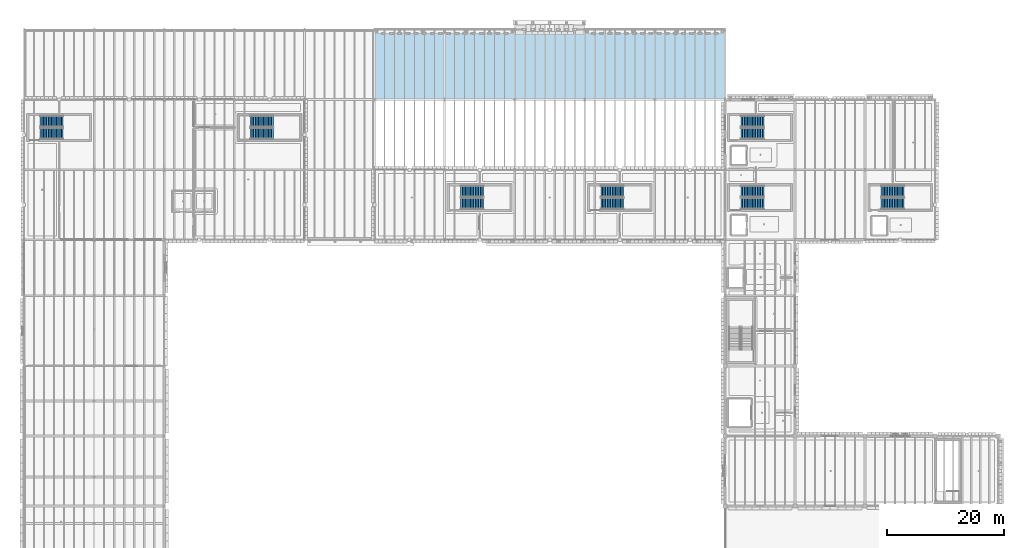
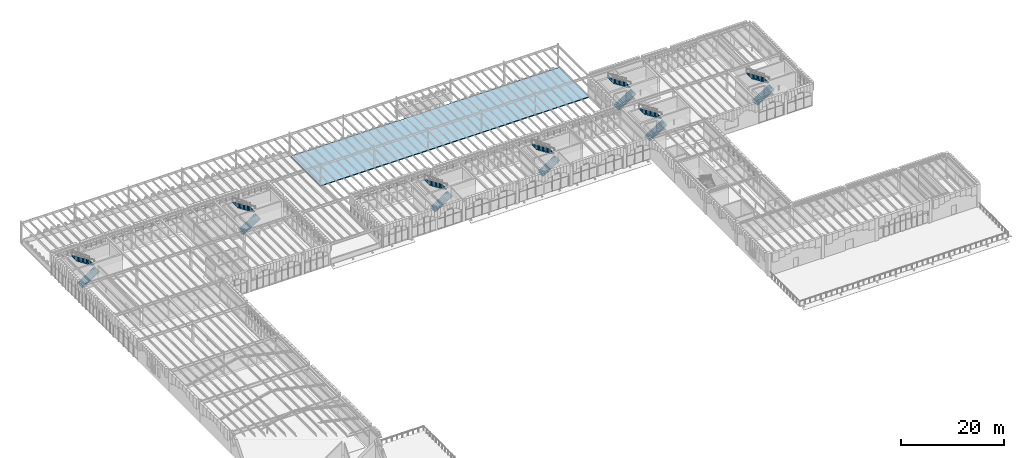
# One storey, part 62 of 100: 14 stair flights, 1 roof, 7 elements without a shape of their own.
"""IFC4 building model written with IfcOpenShell, lengths in metres."""

from ifc_helpers import new_model, si_unit, direction, frame, origin, place, context, subcontext, project, spatial, polyline, outline, extrude, material, layer, layer_set, type_object, element, aggregate, save


model = new_model("IFC4")

# Units and contexts
model_context = context("Model", 3, precision=1e-05, world=origin(), true_north=direction((0.0, 1.0)))
body_context = subcontext(model_context, "Body", "Model", "MODEL_VIEW")
ifc_project = project(units=[si_unit("LENGTHUNIT", "METRE"), si_unit("AREAUNIT", "SQUARE_METRE"), si_unit("VOLUMEUNIT", "CUBIC_METRE"), si_unit("PLANEANGLEUNIT", "RADIAN"), si_unit("MASSUNIT", "GRAM", prefix="KILO")], contexts=[model_context])

# Site, building, storey
site_placement = place(None, origin())
site = spatial("IfcSite", under=ifc_project, at=site_placement, CompositionType="ELEMENT")
building_placement = place(site_placement, origin())
building = spatial("IfcBuilding", under=site, at=building_placement, Name="Zlatogorsky Bluff Art Gallery", CompositionType="ELEMENT")
storey_placement = place(building_placement, frame((0.0, 0.0, 5.39990234375)))
storey = spatial("IfcBuildingStorey", under=building, at=storey_placement, Name="L01", CompositionType="ELEMENT", Elevation=5.39990234375)

# Stair, stair flights
ifc_material_1 = material(Name="Concrete C30/37", Category="concrete")
stair_type = type_object("IfcStairType", Name="Protected Dogleg Stair ST-T3", PredefinedType="HALF_TURN_STAIR", material=ifc_material_1)
stair_1_placement = place(storey_placement, origin())
stair_1 = element("IfcStair", 1, at=stair_1_placement, inside=storey, type_object=stair_type, Name="L01 Protected Exit Stair ST-01", PredefinedType="HALF_TURN_STAIR")
stair_flight_type = type_object("IfcStairFlightType", Name="Stair Flight ST-T3", PredefinedType="STRAIGHT", material=ifc_material_1)
stair_flight_1_placement = place(storey_placement, frame((98.75, 90.175048828125, 0.0), z_axis=(0.0, 0.0, 1.0), x_axis=(1.0, 0.0, 0.0)))
stair_flight_1 = element("IfcStairFlight", 2, at=stair_flight_1_placement, type_object=stair_flight_type, Name="ST-01 flight 1", NumberOfRisers=15, NumberOfTreads=14, PredefinedType="STRAIGHT", RiserHeight=0.18, TreadLength=0.28, context=body_context, shape_type="SweptSolid", body=[
    extrude(outline(polyline([(0.0, 0.0), (0.0, 0.179931640625), (0.280029296875, 0.179931640625), (0.280029296875, 0.360107421875), (0.56005859375, 0.360107421875), (0.56005859375, 0.5400390625), (0.840087890625, 0.5400390625), (0.840087890625, 0.719970703125), (1.1201171875, 0.719970703125), (1.1201171875, 0.89990234375), (1.39990234375, 0.89990234375), (1.39990234375, 1.080078125), (1.679931640625, 1.080078125), (1.679931640625, 1.260009765625), (1.9599609375, 1.260009765625), (1.9599609375, 1.43994140625), (2.239990234375, 1.43994140625), (2.239990234375, 1.6201171875), (2.52001953125, 1.6201171875), (2.52001953125, 1.800048828125), (2.800048828125, 1.800048828125), (2.800048828125, 1.97998046875), (3.080078125, 1.97998046875), (3.080078125, 2.159912109375), (3.360107421875, 2.159912109375), (3.360107421875, 2.340087890625), (3.639892578125, 2.340087890625), (3.639892578125, 2.52001953125), (3.919921875, 2.52001953125), (3.919921875, 2.699951171875), (3.919921875, 2.30615234375), (0.332763671875, 0.0), (0.0, 0.0)])), frame((0.0, 0.97509765625, 0.0), z_axis=(0.0, -1.0, 0.0), x_axis=(1.0, 0.0, 0.0)), (0.0, 0.0, 1.0), 1.949951171875),
])
stair_flight_2_placement = place(storey_placement, frame((102.669921875, 92.27490234375, 2.7001953125), z_axis=(0.0, 0.0, 1.0), x_axis=(-1.0, 0.0, 0.0)))
stair_flight_2 = element("IfcStairFlight", 3, at=stair_flight_2_placement, type_object=stair_flight_type, Name="ST-01 flight 2", NumberOfRisers=15, NumberOfTreads=14, PredefinedType="STRAIGHT", RiserHeight=0.18, TreadLength=0.28, context=body_context, shape_type="SweptSolid", body=[
    extrude(outline(polyline([(0.0, 0.0), (0.0, 0.179931640625), (0.280029296875, 0.179931640625), (0.280029296875, 0.360107421875), (0.56005859375, 0.360107421875), (0.56005859375, 0.5400390625), (0.840087890625, 0.5400390625), (0.840087890625, 0.719970703125), (1.1201171875, 0.719970703125), (1.1201171875, 0.89990234375), (1.39990234375, 0.89990234375), (1.39990234375, 1.080078125), (1.679931640625, 1.080078125), (1.679931640625, 1.260009765625), (1.9599609375, 1.260009765625), (1.9599609375, 1.43994140625), (2.239990234375, 1.43994140625), (2.239990234375, 1.6201171875), (2.52001953125, 1.6201171875), (2.52001953125, 1.800048828125), (2.800048828125, 1.800048828125), (2.800048828125, 1.97998046875), (3.080078125, 1.97998046875), (3.080078125, 2.159912109375), (3.360107421875, 2.159912109375), (3.360107421875, 2.340087890625), (3.639892578125, 2.340087890625), (3.639892578125, 2.52001953125), (3.919921875, 2.52001953125), (3.919921875, 2.699951171875), (3.919921875, 2.30615234375), (0.332763671875, 0.0), (0.0, 0.0)])), frame((0.0, 0.97509765625, 0.0), z_axis=(0.0, -1.0, 0.0), x_axis=(1.0, 0.0, 0.0)), (0.0, 0.0, 1.0), 1.949951171875),
])
aggregate(stair_1, [stair_flight_1, stair_flight_2])

stair_2_placement = place(storey_placement, origin())
stair_2 = element("IfcStair", 4, at=stair_2_placement, inside=storey, type_object=stair_type, Name="L01 Protected Exit Stair ST-02", PredefinedType="HALF_TURN_STAIR")
stair_flight_3_placement = place(storey_placement, frame((122.75, 90.175048828125, 0.0), z_axis=(0.0, 0.0, 1.0), x_axis=(1.0, 0.0, 0.0)))
stair_flight_3 = element("IfcStairFlight", 5, at=stair_flight_3_placement, type_object=stair_flight_type, Name="ST-02 flight 1", NumberOfRisers=15, NumberOfTreads=14, PredefinedType="STRAIGHT", RiserHeight=0.18, TreadLength=0.28, context=body_context, shape_type="SweptSolid", body=[
    extrude(outline(polyline([(0.0, 0.0), (0.0, 0.179931640625), (0.280029296875, 0.179931640625), (0.280029296875, 0.360107421875), (0.56005859375, 0.360107421875), (0.56005859375, 0.5400390625), (0.840087890625, 0.5400390625), (0.840087890625, 0.719970703125), (1.1201171875, 0.719970703125), (1.1201171875, 0.89990234375), (1.39990234375, 0.89990234375), (1.39990234375, 1.080078125), (1.679931640625, 1.080078125), (1.679931640625, 1.260009765625), (1.9599609375, 1.260009765625), (1.9599609375, 1.43994140625), (2.239990234375, 1.43994140625), (2.239990234375, 1.6201171875), (2.52001953125, 1.6201171875), (2.52001953125, 1.800048828125), (2.800048828125, 1.800048828125), (2.800048828125, 1.97998046875), (3.080078125, 1.97998046875), (3.080078125, 2.159912109375), (3.360107421875, 2.159912109375), (3.360107421875, 2.340087890625), (3.639892578125, 2.340087890625), (3.639892578125, 2.52001953125), (3.919921875, 2.52001953125), (3.919921875, 2.699951171875), (3.919921875, 2.30615234375), (0.332763671875, 0.0), (0.0, 0.0)])), frame((0.0, 0.97509765625, 0.0), z_axis=(0.0, -1.0, 0.0), x_axis=(1.0, 0.0, 0.0)), (0.0, 0.0, 1.0), 1.949951171875),
])
stair_flight_4_placement = place(storey_placement, frame((126.669921875, 92.27490234375, 2.7001953125), z_axis=(0.0, 0.0, 1.0), x_axis=(-1.0, 0.0, 0.0)))
stair_flight_4 = element("IfcStairFlight", 6, at=stair_flight_4_placement, type_object=stair_flight_type, Name="ST-02 flight 2", NumberOfRisers=15, NumberOfTreads=14, PredefinedType="STRAIGHT", RiserHeight=0.18, TreadLength=0.28, context=body_context, shape_type="SweptSolid", body=[
    extrude(outline(polyline([(0.0, 0.0), (0.0, 0.179931640625), (0.280029296875, 0.179931640625), (0.280029296875, 0.360107421875), (0.56005859375, 0.360107421875), (0.56005859375, 0.5400390625), (0.840087890625, 0.5400390625), (0.840087890625, 0.719970703125), (1.1201171875, 0.719970703125), (1.1201171875, 0.89990234375), (1.39990234375, 0.89990234375), (1.39990234375, 1.080078125), (1.679931640625, 1.080078125), (1.679931640625, 1.260009765625), (1.9599609375, 1.260009765625), (1.9599609375, 1.43994140625), (2.239990234375, 1.43994140625), (2.239990234375, 1.6201171875), (2.52001953125, 1.6201171875), (2.52001953125, 1.800048828125), (2.800048828125, 1.800048828125), (2.800048828125, 1.97998046875), (3.080078125, 1.97998046875), (3.080078125, 2.159912109375), (3.360107421875, 2.159912109375), (3.360107421875, 2.340087890625), (3.639892578125, 2.340087890625), (3.639892578125, 2.52001953125), (3.919921875, 2.52001953125), (3.919921875, 2.699951171875), (3.919921875, 2.30615234375), (0.332763671875, 0.0), (0.0, 0.0)])), frame((0.0, 0.97509765625, 0.0), z_axis=(0.0, -1.0, 0.0), x_axis=(1.0, 0.0, 0.0)), (0.0, 0.0, 1.0), 1.949951171875),
])
aggregate(stair_2, [stair_flight_3, stair_flight_4])

stair_3_placement = place(storey_placement, origin())
stair_3 = element("IfcStair", 7, at=stair_3_placement, inside=storey, type_object=stair_type, Name="L01 Protected Exit Stair ST-03", PredefinedType="HALF_TURN_STAIR")
stair_flight_5_placement = place(storey_placement, frame((122.75, 102.175048828125, 0.0), z_axis=(0.0, 0.0, 1.0), x_axis=(1.0, 0.0, 0.0)))
stair_flight_5 = element("IfcStairFlight", 8, at=stair_flight_5_placement, type_object=stair_flight_type, Name="ST-03 flight 1", NumberOfRisers=15, NumberOfTreads=14, PredefinedType="STRAIGHT", RiserHeight=0.18, TreadLength=0.28, context=body_context, shape_type="SweptSolid", body=[
    extrude(outline(polyline([(0.0, 0.0), (0.0, 0.179931640625), (0.280029296875, 0.179931640625), (0.280029296875, 0.360107421875), (0.56005859375, 0.360107421875), (0.56005859375, 0.5400390625), (0.840087890625, 0.5400390625), (0.840087890625, 0.719970703125), (1.1201171875, 0.719970703125), (1.1201171875, 0.89990234375), (1.39990234375, 0.89990234375), (1.39990234375, 1.080078125), (1.679931640625, 1.080078125), (1.679931640625, 1.260009765625), (1.9599609375, 1.260009765625), (1.9599609375, 1.43994140625), (2.239990234375, 1.43994140625), (2.239990234375, 1.6201171875), (2.52001953125, 1.6201171875), (2.52001953125, 1.800048828125), (2.800048828125, 1.800048828125), (2.800048828125, 1.97998046875), (3.080078125, 1.97998046875), (3.080078125, 2.159912109375), (3.360107421875, 2.159912109375), (3.360107421875, 2.340087890625), (3.639892578125, 2.340087890625), (3.639892578125, 2.52001953125), (3.919921875, 2.52001953125), (3.919921875, 2.699951171875), (3.919921875, 2.30615234375), (0.332763671875, 0.0), (0.0, 0.0)])), frame((0.0, 0.97509765625, 0.0), z_axis=(0.0, -1.0, 0.0), x_axis=(1.0, 0.0, 0.0)), (0.0, 0.0, 1.0), 1.949951171875),
])
stair_flight_6_placement = place(storey_placement, frame((126.669921875, 104.27490234375, 2.7001953125), z_axis=(0.0, 0.0, 1.0), x_axis=(-1.0, 0.0, 0.0)))
stair_flight_6 = element("IfcStairFlight", 9, at=stair_flight_6_placement, type_object=stair_flight_type, Name="ST-03 flight 2", NumberOfRisers=15, NumberOfTreads=14, PredefinedType="STRAIGHT", RiserHeight=0.18, TreadLength=0.28, context=body_context, shape_type="SweptSolid", body=[
    extrude(outline(polyline([(0.0, 0.0), (0.0, 0.179931640625), (0.280029296875, 0.179931640625), (0.280029296875, 0.360107421875), (0.56005859375, 0.360107421875), (0.56005859375, 0.5400390625), (0.840087890625, 0.5400390625), (0.840087890625, 0.719970703125), (1.1201171875, 0.719970703125), (1.1201171875, 0.89990234375), (1.39990234375, 0.89990234375), (1.39990234375, 1.080078125), (1.679931640625, 1.080078125), (1.679931640625, 1.260009765625), (1.9599609375, 1.260009765625), (1.9599609375, 1.43994140625), (2.239990234375, 1.43994140625), (2.239990234375, 1.6201171875), (2.52001953125, 1.6201171875), (2.52001953125, 1.800048828125), (2.800048828125, 1.800048828125), (2.800048828125, 1.97998046875), (3.080078125, 1.97998046875), (3.080078125, 2.159912109375), (3.360107421875, 2.159912109375), (3.360107421875, 2.340087890625), (3.639892578125, 2.340087890625), (3.639892578125, 2.52001953125), (3.919921875, 2.52001953125), (3.919921875, 2.699951171875), (3.919921875, 2.30615234375), (0.332763671875, 0.0), (0.0, 0.0)])), frame((0.0, 0.97509765625, 0.0), z_axis=(0.0, -1.0, 0.0), x_axis=(1.0, 0.0, 0.0)), (0.0, 0.0, 1.0), 1.949951171875),
])
aggregate(stair_3, [stair_flight_5, stair_flight_6])

stair_4_placement = place(storey_placement, origin())
stair_4 = element("IfcStair", 10, at=stair_4_placement, inside=storey, type_object=stair_type, Name="L01 Protected Exit Stair ST-04", PredefinedType="HALF_TURN_STAIR")
stair_flight_7_placement = place(storey_placement, frame((146.75, 90.175048828125, 0.0), z_axis=(0.0, 0.0, 1.0), x_axis=(1.0, 0.0, 0.0)))
stair_flight_7 = element("IfcStairFlight", 11, at=stair_flight_7_placement, type_object=stair_flight_type, Name="ST-04 flight 1", NumberOfRisers=15, NumberOfTreads=14, PredefinedType="STRAIGHT", RiserHeight=0.18, TreadLength=0.28, context=body_context, shape_type="SweptSolid", body=[
    extrude(outline(polyline([(0.0, 0.0), (0.0, 0.179931640625), (0.280029296875, 0.179931640625), (0.280029296875, 0.360107421875), (0.56005859375, 0.360107421875), (0.56005859375, 0.5400390625), (0.840087890625, 0.5400390625), (0.840087890625, 0.719970703125), (1.1201171875, 0.719970703125), (1.1201171875, 0.89990234375), (1.39990234375, 0.89990234375), (1.39990234375, 1.080078125), (1.679931640625, 1.080078125), (1.679931640625, 1.260009765625), (1.9599609375, 1.260009765625), (1.9599609375, 1.43994140625), (2.239990234375, 1.43994140625), (2.239990234375, 1.6201171875), (2.52001953125, 1.6201171875), (2.52001953125, 1.800048828125), (2.800048828125, 1.800048828125), (2.800048828125, 1.97998046875), (3.080078125, 1.97998046875), (3.080078125, 2.159912109375), (3.360107421875, 2.159912109375), (3.360107421875, 2.340087890625), (3.639892578125, 2.340087890625), (3.639892578125, 2.52001953125), (3.919921875, 2.52001953125), (3.919921875, 2.699951171875), (3.919921875, 2.30615234375), (0.332763671875, 0.0), (0.0, 0.0)])), frame((0.0, 0.97509765625, 0.0), z_axis=(0.0, -1.0, 0.0), x_axis=(1.0, 0.0, 0.0)), (0.0, 0.0, 1.0), 1.949951171875),
])
stair_flight_8_placement = place(storey_placement, frame((150.669921875, 92.27490234375, 2.7001953125), z_axis=(0.0, 0.0, 1.0), x_axis=(-1.0, 0.0, 0.0)))
stair_flight_8 = element("IfcStairFlight", 12, at=stair_flight_8_placement, type_object=stair_flight_type, Name="ST-04 flight 2", NumberOfRisers=15, NumberOfTreads=14, PredefinedType="STRAIGHT", RiserHeight=0.18, TreadLength=0.28, context=body_context, shape_type="SweptSolid", body=[
    extrude(outline(polyline([(0.0, 0.0), (0.0, 0.179931640625), (0.280029296875, 0.179931640625), (0.280029296875, 0.360107421875), (0.56005859375, 0.360107421875), (0.56005859375, 0.5400390625), (0.840087890625, 0.5400390625), (0.840087890625, 0.719970703125), (1.1201171875, 0.719970703125), (1.1201171875, 0.89990234375), (1.39990234375, 0.89990234375), (1.39990234375, 1.080078125), (1.679931640625, 1.080078125), (1.679931640625, 1.260009765625), (1.9599609375, 1.260009765625), (1.9599609375, 1.43994140625), (2.239990234375, 1.43994140625), (2.239990234375, 1.6201171875), (2.52001953125, 1.6201171875), (2.52001953125, 1.800048828125), (2.800048828125, 1.800048828125), (2.800048828125, 1.97998046875), (3.080078125, 1.97998046875), (3.080078125, 2.159912109375), (3.360107421875, 2.159912109375), (3.360107421875, 2.340087890625), (3.639892578125, 2.340087890625), (3.639892578125, 2.52001953125), (3.919921875, 2.52001953125), (3.919921875, 2.699951171875), (3.919921875, 2.30615234375), (0.332763671875, 0.0), (0.0, 0.0)])), frame((0.0, 0.97509765625, 0.0), z_axis=(0.0, -1.0, 0.0), x_axis=(1.0, 0.0, 0.0)), (0.0, 0.0, 1.0), 1.949951171875),
])
aggregate(stair_4, [stair_flight_7, stair_flight_8])

stair_5_placement = place(storey_placement, origin())
stair_5 = element("IfcStair", 13, at=stair_5_placement, inside=storey, type_object=stair_type, Name="L01 Protected Exit Stair ST-05", PredefinedType="HALF_TURN_STAIR")
stair_flight_9_placement = place(storey_placement, frame((2.75, 102.175048828125, 0.0), z_axis=(0.0, 0.0, 1.0), x_axis=(1.0, 0.0, 0.0)))
stair_flight_9 = element("IfcStairFlight", 14, at=stair_flight_9_placement, type_object=stair_flight_type, Name="ST-05 flight 1", NumberOfRisers=15, NumberOfTreads=14, PredefinedType="STRAIGHT", RiserHeight=0.18, TreadLength=0.28, context=body_context, shape_type="SweptSolid", body=[
    extrude(outline(polyline([(0.0, 0.0), (0.0, 0.179931640625), (0.280029296875, 0.179931640625), (0.280029296875, 0.360107421875), (0.56005859375, 0.360107421875), (0.56005859375, 0.5400390625), (0.840087890625, 0.5400390625), (0.840087890625, 0.719970703125), (1.1201171875, 0.719970703125), (1.1201171875, 0.89990234375), (1.39990234375, 0.89990234375), (1.39990234375, 1.080078125), (1.679931640625, 1.080078125), (1.679931640625, 1.260009765625), (1.9599609375, 1.260009765625), (1.9599609375, 1.43994140625), (2.239990234375, 1.43994140625), (2.239990234375, 1.6201171875), (2.52001953125, 1.6201171875), (2.52001953125, 1.800048828125), (2.800048828125, 1.800048828125), (2.800048828125, 1.97998046875), (3.080078125, 1.97998046875), (3.080078125, 2.159912109375), (3.360107421875, 2.159912109375), (3.360107421875, 2.340087890625), (3.639892578125, 2.340087890625), (3.639892578125, 2.52001953125), (3.919921875, 2.52001953125), (3.919921875, 2.699951171875), (3.919921875, 2.30615234375), (0.332763671875, 0.0), (0.0, 0.0)])), frame((0.0, 0.97509765625, 0.0), z_axis=(0.0, -1.0, 0.0), x_axis=(1.0, 0.0, 0.0)), (0.0, 0.0, 1.0), 1.949951171875),
])
stair_flight_10_placement = place(storey_placement, frame((6.669921875, 104.27490234375, 2.7001953125), z_axis=(0.0, 0.0, 1.0), x_axis=(-1.0, 0.0, 0.0)))
stair_flight_10 = element("IfcStairFlight", 15, at=stair_flight_10_placement, type_object=stair_flight_type, Name="ST-05 flight 2", NumberOfRisers=15, NumberOfTreads=14, PredefinedType="STRAIGHT", RiserHeight=0.18, TreadLength=0.28, context=body_context, shape_type="SweptSolid", body=[
    extrude(outline(polyline([(0.0, 0.0), (0.0, 0.179931640625), (0.280029296875, 0.179931640625), (0.280029296875, 0.360107421875), (0.56005859375, 0.360107421875), (0.56005859375, 0.5400390625), (0.840087890625, 0.5400390625), (0.840087890625, 0.719970703125), (1.1201171875, 0.719970703125), (1.1201171875, 0.89990234375), (1.39990234375, 0.89990234375), (1.39990234375, 1.080078125), (1.679931640625, 1.080078125), (1.679931640625, 1.260009765625), (1.9599609375, 1.260009765625), (1.9599609375, 1.43994140625), (2.239990234375, 1.43994140625), (2.239990234375, 1.6201171875), (2.52001953125, 1.6201171875), (2.52001953125, 1.800048828125), (2.800048828125, 1.800048828125), (2.800048828125, 1.97998046875), (3.080078125, 1.97998046875), (3.080078125, 2.159912109375), (3.360107421875, 2.159912109375), (3.360107421875, 2.340087890625), (3.639892578125, 2.340087890625), (3.639892578125, 2.52001953125), (3.919921875, 2.52001953125), (3.919921875, 2.699951171875), (3.919921875, 2.30615234375), (0.332763671875, 0.0), (0.0, 0.0)])), frame((0.0, 0.97509765625, 0.0), z_axis=(0.0, -1.0, 0.0), x_axis=(1.0, 0.0, 0.0)), (0.0, 0.0, 1.0), 1.949951171875),
])
aggregate(stair_5, [stair_flight_9, stair_flight_10])

stair_6_placement = place(storey_placement, origin())
stair_6 = element("IfcStair", 16, at=stair_6_placement, inside=storey, type_object=stair_type, Name="L01 Protected Exit Stair ST-07", PredefinedType="HALF_TURN_STAIR")
stair_flight_11_placement = place(storey_placement, frame((38.75, 102.175048828125, 0.0), z_axis=(0.0, 0.0, 1.0), x_axis=(1.0, 0.0, 0.0)))
stair_flight_11 = element("IfcStairFlight", 17, at=stair_flight_11_placement, type_object=stair_flight_type, Name="ST-07 flight 1", NumberOfRisers=15, NumberOfTreads=14, PredefinedType="STRAIGHT", RiserHeight=0.18, TreadLength=0.28, context=body_context, shape_type="SweptSolid", body=[
    extrude(outline(polyline([(0.0, 0.0), (0.0, 0.179931640625), (0.280029296875, 0.179931640625), (0.280029296875, 0.360107421875), (0.56005859375, 0.360107421875), (0.56005859375, 0.5400390625), (0.840087890625, 0.5400390625), (0.840087890625, 0.719970703125), (1.1201171875, 0.719970703125), (1.1201171875, 0.89990234375), (1.39990234375, 0.89990234375), (1.39990234375, 1.080078125), (1.679931640625, 1.080078125), (1.679931640625, 1.260009765625), (1.9599609375, 1.260009765625), (1.9599609375, 1.43994140625), (2.239990234375, 1.43994140625), (2.239990234375, 1.6201171875), (2.52001953125, 1.6201171875), (2.52001953125, 1.800048828125), (2.800048828125, 1.800048828125), (2.800048828125, 1.97998046875), (3.080078125, 1.97998046875), (3.080078125, 2.159912109375), (3.360107421875, 2.159912109375), (3.360107421875, 2.340087890625), (3.639892578125, 2.340087890625), (3.639892578125, 2.52001953125), (3.919921875, 2.52001953125), (3.919921875, 2.699951171875), (3.919921875, 2.30615234375), (0.332763671875, 0.0), (0.0, 0.0)])), frame((0.0, 0.97509765625, 0.0), z_axis=(0.0, -1.0, 0.0), x_axis=(1.0, 0.0, 0.0)), (0.0, 0.0, 1.0), 1.949951171875),
])
stair_flight_12_placement = place(storey_placement, frame((42.669921875, 104.27490234375, 2.7001953125), z_axis=(0.0, 0.0, 1.0), x_axis=(-1.0, 0.0, 0.0)))
stair_flight_12 = element("IfcStairFlight", 18, at=stair_flight_12_placement, type_object=stair_flight_type, Name="ST-07 flight 2", NumberOfRisers=15, NumberOfTreads=14, PredefinedType="STRAIGHT", RiserHeight=0.18, TreadLength=0.28, context=body_context, shape_type="SweptSolid", body=[
    extrude(outline(polyline([(0.0, 0.0), (0.0, 0.179931640625), (0.280029296875, 0.179931640625), (0.280029296875, 0.360107421875), (0.56005859375, 0.360107421875), (0.56005859375, 0.5400390625), (0.840087890625, 0.5400390625), (0.840087890625, 0.719970703125), (1.1201171875, 0.719970703125), (1.1201171875, 0.89990234375), (1.39990234375, 0.89990234375), (1.39990234375, 1.080078125), (1.679931640625, 1.080078125), (1.679931640625, 1.260009765625), (1.9599609375, 1.260009765625), (1.9599609375, 1.43994140625), (2.239990234375, 1.43994140625), (2.239990234375, 1.6201171875), (2.52001953125, 1.6201171875), (2.52001953125, 1.800048828125), (2.800048828125, 1.800048828125), (2.800048828125, 1.97998046875), (3.080078125, 1.97998046875), (3.080078125, 2.159912109375), (3.360107421875, 2.159912109375), (3.360107421875, 2.340087890625), (3.639892578125, 2.340087890625), (3.639892578125, 2.52001953125), (3.919921875, 2.52001953125), (3.919921875, 2.699951171875), (3.919921875, 2.30615234375), (0.332763671875, 0.0), (0.0, 0.0)])), frame((0.0, 0.97509765625, 0.0), z_axis=(0.0, -1.0, 0.0), x_axis=(1.0, 0.0, 0.0)), (0.0, 0.0, 1.0), 1.949951171875),
])
aggregate(stair_6, [stair_flight_11, stair_flight_12])

stair_7_placement = place(storey_placement, origin())
stair_7 = element("IfcStair", 19, at=stair_7_placement, inside=storey, type_object=stair_type, Name="L01 Protected Exit Stair ST-08", PredefinedType="HALF_TURN_STAIR")
stair_flight_13_placement = place(storey_placement, frame((74.75, 90.175048828125, 0.0), z_axis=(0.0, 0.0, 1.0), x_axis=(1.0, 0.0, 0.0)))
stair_flight_13 = element("IfcStairFlight", 20, at=stair_flight_13_placement, type_object=stair_flight_type, Name="ST-08 flight 1", NumberOfRisers=15, NumberOfTreads=14, PredefinedType="STRAIGHT", RiserHeight=0.18, TreadLength=0.28, context=body_context, shape_type="SweptSolid", body=[
    extrude(outline(polyline([(0.0, 0.0), (0.0, 0.179931640625), (0.280029296875, 0.179931640625), (0.280029296875, 0.360107421875), (0.56005859375, 0.360107421875), (0.56005859375, 0.5400390625), (0.840087890625, 0.5400390625), (0.840087890625, 0.719970703125), (1.1201171875, 0.719970703125), (1.1201171875, 0.89990234375), (1.39990234375, 0.89990234375), (1.39990234375, 1.080078125), (1.679931640625, 1.080078125), (1.679931640625, 1.260009765625), (1.9599609375, 1.260009765625), (1.9599609375, 1.43994140625), (2.239990234375, 1.43994140625), (2.239990234375, 1.6201171875), (2.52001953125, 1.6201171875), (2.52001953125, 1.800048828125), (2.800048828125, 1.800048828125), (2.800048828125, 1.97998046875), (3.080078125, 1.97998046875), (3.080078125, 2.159912109375), (3.360107421875, 2.159912109375), (3.360107421875, 2.340087890625), (3.639892578125, 2.340087890625), (3.639892578125, 2.52001953125), (3.919921875, 2.52001953125), (3.919921875, 2.699951171875), (3.919921875, 2.30615234375), (0.332763671875, 0.0), (0.0, 0.0)])), frame((0.0, 0.97509765625, 0.0), z_axis=(0.0, -1.0, 0.0), x_axis=(1.0, 0.0, 0.0)), (0.0, 0.0, 1.0), 1.949951171875),
])
stair_flight_14_placement = place(storey_placement, frame((78.669921875, 92.27490234375, 2.7001953125), z_axis=(0.0, 0.0, 1.0), x_axis=(-1.0, 0.0, 0.0)))
stair_flight_14 = element("IfcStairFlight", 21, at=stair_flight_14_placement, type_object=stair_flight_type, Name="ST-08 flight 2", NumberOfRisers=15, NumberOfTreads=14, PredefinedType="STRAIGHT", RiserHeight=0.18, TreadLength=0.28, context=body_context, shape_type="SweptSolid", body=[
    extrude(outline(polyline([(0.0, 0.0), (0.0, 0.179931640625), (0.280029296875, 0.179931640625), (0.280029296875, 0.360107421875), (0.56005859375, 0.360107421875), (0.56005859375, 0.5400390625), (0.840087890625, 0.5400390625), (0.840087890625, 0.719970703125), (1.1201171875, 0.719970703125), (1.1201171875, 0.89990234375), (1.39990234375, 0.89990234375), (1.39990234375, 1.080078125), (1.679931640625, 1.080078125), (1.679931640625, 1.260009765625), (1.9599609375, 1.260009765625), (1.9599609375, 1.43994140625), (2.239990234375, 1.43994140625), (2.239990234375, 1.6201171875), (2.52001953125, 1.6201171875), (2.52001953125, 1.800048828125), (2.800048828125, 1.800048828125), (2.800048828125, 1.97998046875), (3.080078125, 1.97998046875), (3.080078125, 2.159912109375), (3.360107421875, 2.159912109375), (3.360107421875, 2.340087890625), (3.639892578125, 2.340087890625), (3.639892578125, 2.52001953125), (3.919921875, 2.52001953125), (3.919921875, 2.699951171875), (3.919921875, 2.30615234375), (0.332763671875, 0.0), (0.0, 0.0)])), frame((0.0, 0.97509765625, 0.0), z_axis=(0.0, -1.0, 0.0), x_axis=(1.0, 0.0, 0.0)), (0.0, 0.0, 1.0), 1.949951171875),
])
aggregate(stair_7, [stair_flight_13, stair_flight_14])

# Roof
ifc_material_2 = material(Name="Patinated Red-Bronze Standing-Seam Insulated Roof", Category="metal")
ifc_layer = layer(ifc_material_2, 0.159912109375)
ifc_layer_set = layer_set([ifc_layer], Name="Standing-Seam Pavilion Roof RF-02")
roof_type = type_object("IfcRoofType", Name="Standing-Seam Pavilion Roof RF-02", PredefinedType="HIP_ROOF", material=ifc_layer_set)
roof_placement = place(storey_placement, frame((0.0, 0.0, -0.199951171875)))
element("IfcRoof", 22, at=roof_placement, inside=storey, type_object=roof_type, Name="North Boulevard Mughal dalan colonnade roof canopy", PredefinedType="HIP_ROOF", context=body_context, shape_type="SweptSolid", body=[
    extrude(outline(polyline([(60.0, 108.0), (120.0, 108.0), (120.0, 119.5), (60.0, 119.5), (60.0, 108.0)])), origin(), (0.0, 0.0, 1.0), 0.219970703125),
])

save(model, "model.ifc")
